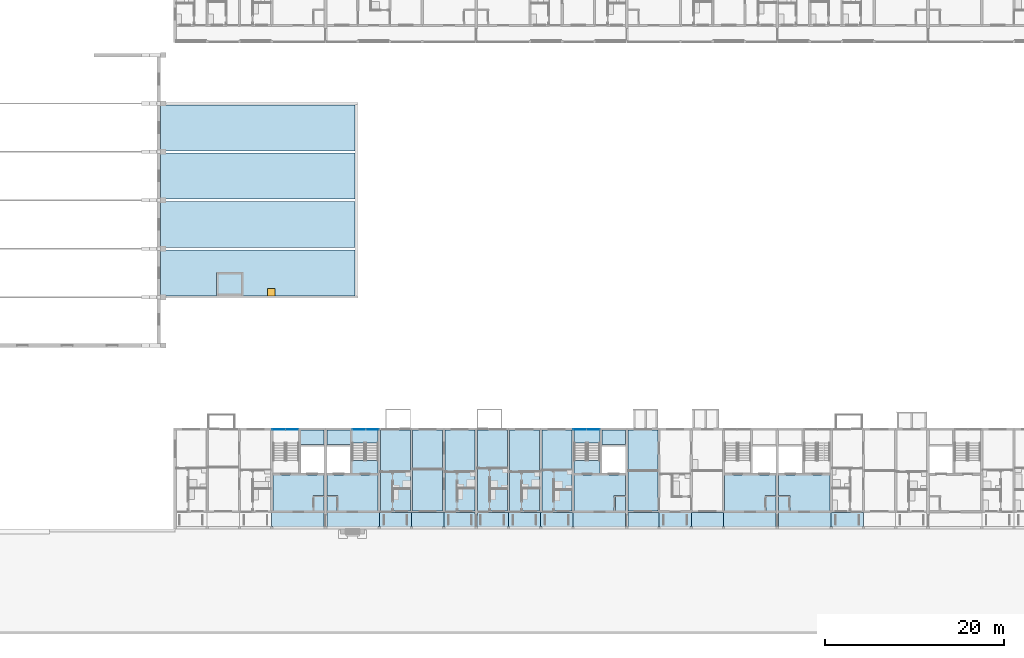
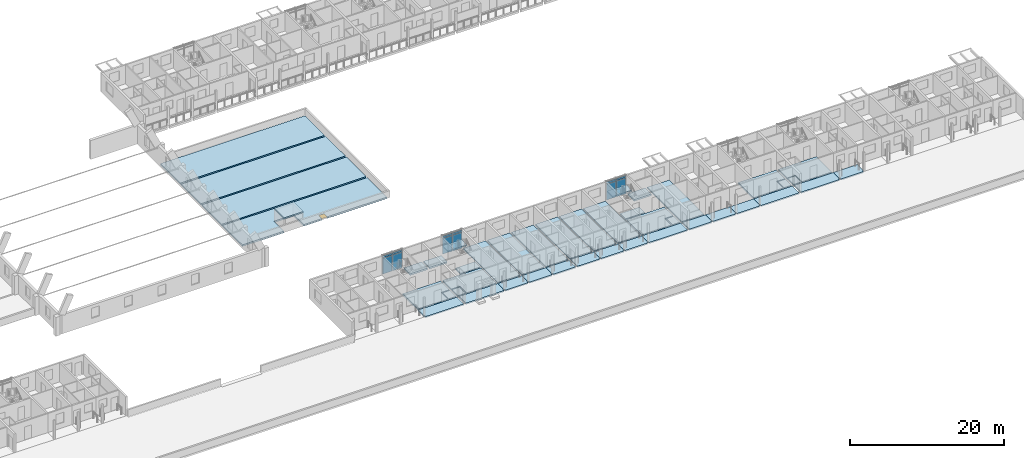
# One storey, part 36 of 115: 44 slabs, 12 plates, 1 door, 1 opening, 5 elements without a shape of their own.
"""IFC4 building model written with IfcOpenShell, lengths in metres."""

from ifc_helpers import new_model, si_unit, direction, frame, origin, origin_2d, place, context, subcontext, project, spatial, polyline, rectangle, outline, extrude, material, layer, layer_set, type_object, element, fill, aggregate, save


model = new_model("IFC4")

# Units and contexts
model_context = context("Model", 3, precision=1e-05, world=origin(), true_north=direction((0.0, 1.0)))
body_context = subcontext(model_context, "Body", "Model", "MODEL_VIEW")
ifc_project = project(units=[si_unit("LENGTHUNIT", "METRE"), si_unit("AREAUNIT", "SQUARE_METRE"), si_unit("VOLUMEUNIT", "CUBIC_METRE"), si_unit("PLANEANGLEUNIT", "RADIAN"), si_unit("MASSUNIT", "GRAM", prefix="KILO")], contexts=[model_context])

# Site, building, storey
site_placement = place(None, origin())
site = spatial("IfcSite", under=ifc_project, at=site_placement, CompositionType="ELEMENT")
building_placement = place(site_placement, origin())
building = spatial("IfcBuilding", under=site, at=building_placement, Name="Ridgestep Commons", CompositionType="ELEMENT")
storey_placement = place(building_placement, frame((0.0, 0.0, 6.0)))
storey = spatial("IfcBuildingStorey", under=building, at=storey_placement, Name="L02", CompositionType="ELEMENT", Elevation=6.0)

# Slab, opening, door
ifc_material_1 = material(Name="Precast concrete C50/60", Category="concrete")
ifc_layer_1 = layer(ifc_material_1, 0.25)
ifc_layer_set_1 = layer_set([ifc_layer_1], Name="Annex roof slab 250")
slab_type_1 = type_object("IfcSlabType", Name="Annex roof slab 250", PredefinedType="ROOF", material=ifc_layer_set_1)
slab_1_placement = place(storey_placement, frame((0.0, 0.0, -0.25)))
slab_1 = element("IfcSlab", 1, at=slab_1_placement, inside=storey, type_object=slab_type_1, Name="Annex roof slab 250", PredefinedType="ROOF", context=body_context, shape_type="SweptSolid", body=[
    extrude(outline(polyline([(145.199951171875, 37.75), (145.199951171875, 42.875), (166.89990234375, 42.875), (166.89990234375, 37.75), (154.39990234375, 37.75), (154.39990234375, 40.35009765625), (151.449951171875, 40.35009765625), (151.449951171875, 37.75), (145.199951171875, 37.75)])), origin(), (0.0, 0.0, 1.0), 0.25),
])
opening_placement = place(slab_1_placement, frame((157.550048828125, 38.14990234375, 0.0)))
opening = element("IfcOpeningElement", 2, at=opening_placement, cuts=slab_1, Name="Opening KRH2", PredefinedType="OPENING", context=body_context, shape_type="SweptSolid", body=[
    extrude(rectangle(XDim=0.800048828125, YDim=0.800048828125, at=origin_2d()), origin(), (0.0, 0.0, 1.0), 0.25),
])
ifc_material_2 = material(Name="Steel", Category="steel")
door_type = type_object("IfcDoorType", Name="Annex roof hatch 800 x 800", OperationType="SINGLE_SWING_LEFT", PredefinedType="TRAPDOOR", material=ifc_material_2)
door_placement = place(opening_placement, frame((0.0, 0.0, 0.199951171875)))
door = element("IfcDoor", 3, at=door_placement, inside=storey, type_object=door_type, Name="Roof access hatch", OperationType="SINGLE_SWING_LEFT", OverallHeight=0.800048828125, OverallWidth=0.800048828125, PredefinedType="TRAPDOOR", context=body_context, shape_type="SweptSolid", body=[
    extrude(rectangle(XDim=0.800048828125, YDim=0.800048828125, at=origin_2d()), origin(), (0.0, 0.0, 1.0), 0.050048828125),
])
fill(opening, door)

# Slabs
slab_2_placement = place(storey_placement, frame((0.0, 0.0, -0.25)))
element("IfcSlab", 4, at=slab_2_placement, inside=storey, type_object=slab_type_1, Name="Annex roof slab 250", PredefinedType="ROOF", context=body_context, shape_type="SweptSolid", body=[
    extrude(outline(polyline([(145.199951171875, 43.125), (166.89990234375, 43.125), (166.89990234375, 48.27490234375), (145.199951171875, 48.27490234375), (145.199951171875, 43.125)])), origin(), (0.0, 0.0, 1.0), 0.25),
])
slab_3_placement = place(storey_placement, frame((0.0, 0.0, -0.25)))
element("IfcSlab", 5, at=slab_3_placement, inside=storey, type_object=slab_type_1, Name="Annex roof slab 250", PredefinedType="ROOF", context=body_context, shape_type="SweptSolid", body=[
    extrude(outline(polyline([(145.199951171875, 48.52490234375), (166.89990234375, 48.52490234375), (166.89990234375, 53.675048828125), (145.199951171875, 53.675048828125), (145.199951171875, 48.52490234375)])), origin(), (0.0, 0.0, 1.0), 0.25),
])
slab_4_placement = place(storey_placement, frame((0.0, 0.0, -0.25)))
element("IfcSlab", 6, at=slab_4_placement, inside=storey, type_object=slab_type_1, Name="Annex roof slab 250", PredefinedType="ROOF", context=body_context, shape_type="SweptSolid", body=[
    extrude(outline(polyline([(145.199951171875, 53.925048828125), (166.89990234375, 53.925048828125), (166.89990234375, 59.050048828125), (145.199951171875, 59.050048828125), (145.199951171875, 53.925048828125)])), origin(), (0.0, 0.0, 1.0), 0.25),
])
ifc_material_3 = material(Name="Concrete C30/37", Category="concrete")
ifc_layer_2 = layer(ifc_material_3, 0.199951171875)
ifc_layer_set_2 = layer_set([ifc_layer_2], Name="Community lift overrun slab 200")
slab_type_2 = type_object("IfcSlabType", Name="Community lift overrun slab 200", PredefinedType="ROOF", material=ifc_layer_set_2)
slab_5_placement = place(storey_placement, frame((0.0, 0.0, 1.89990234375)))
element("IfcSlab", 7, at=slab_5_placement, inside=storey, type_object=slab_type_2, Name="Community lift overrun slab 200", PredefinedType="ROOF", context=body_context, shape_type="SweptSolid", body=[
    extrude(outline(polyline([(151.449951171875, 37.75), (154.39990234375, 37.75), (154.39990234375, 40.35009765625), (151.449951171875, 40.35009765625), (151.449951171875, 37.75)])), origin(), (0.0, 0.0, 1.0), 0.2001953125),
])
ifc_material_4 = material(Name="Precast concrete C40/50", Category="concrete")
ifc_layer_3 = layer(ifc_material_4, 0.199951171875)
ifc_layer_set_3 = layer_set([ifc_layer_3], Name="Gallery slab 200")
slab_type_3 = type_object("IfcSlabType", Name="Gallery slab 200", PredefinedType="FLOOR", material=ifc_layer_set_3)
slab_6_placement = place(storey_placement, frame((0.0, 0.0, -0.199951171875)))
element("IfcSlab", 8, at=slab_6_placement, inside=storey, type_object=slab_type_3, Name="Gallery slab D1 L02", PredefinedType="FLOOR", context=body_context, shape_type="SweptSolid", body=[
    extrude(outline(polyline([(157.60009765625, 13.550048828125), (157.60009765625, 12.0), (157.72509765625, 12.0), (157.72509765625, 11.75), (163.449951171875, 11.75), (163.449951171875, 13.550048828125), (157.60009765625, 13.550048828125)])), origin(), (0.0, 0.0, 1.0), 0.199951171875),
])
slab_7_placement = place(storey_placement, frame((0.0, 0.0, -0.199951171875)))
element("IfcSlab", 9, at=slab_7_placement, inside=storey, type_object=slab_type_3, Name="Gallery slab D2 L02", PredefinedType="FLOOR", context=body_context, shape_type="SweptSolid", body=[
    extrude(outline(polyline([(163.75, 11.75), (169.47509765625, 11.75), (169.47509765625, 12.0), (169.60009765625, 12.0), (169.60009765625, 13.550048828125), (163.75, 13.550048828125), (163.75, 11.75)])), origin(), (0.0, 0.0, 1.0), 0.199951171875),
])
slab_8_placement = place(storey_placement, frame((0.0, 0.0, -0.199951171875)))
element("IfcSlab", 10, at=slab_8_placement, inside=storey, type_object=slab_type_3, Name="Gallery slab D2 L02", PredefinedType="FLOOR", context=body_context, shape_type="SweptSolid", body=[
    extrude(outline(polyline([(173.199951171875, 13.550048828125), (169.60009765625, 13.550048828125), (169.60009765625, 12.0), (169.72509765625, 12.0), (169.72509765625, 11.75), (173.074951171875, 11.75), (173.074951171875, 12.0), (173.199951171875, 12.0), (173.199951171875, 13.550048828125)])), origin(), (0.0, 0.0, 1.0), 0.199951171875),
])
slab_9_placement = place(storey_placement, frame((0.0, 0.0, -0.199951171875)))
element("IfcSlab", 11, at=slab_9_placement, inside=storey, type_object=slab_type_3, Name="Gallery slab D2 L02", PredefinedType="FLOOR", context=body_context, shape_type="SweptSolid", body=[
    extrude(outline(polyline([(176.800048828125, 13.550048828125), (173.199951171875, 13.550048828125), (173.199951171875, 12.0), (173.324951171875, 12.0), (173.324951171875, 11.75), (176.675048828125, 11.75), (176.675048828125, 12.0), (176.800048828125, 12.0), (176.800048828125, 13.550048828125)])), origin(), (0.0, 0.0, 1.0), 0.199951171875),
])
slab_10_placement = place(storey_placement, frame((0.0, 0.0, -0.199951171875)))
element("IfcSlab", 12, at=slab_10_placement, inside=storey, type_object=slab_type_3, Name="Gallery slab D2 L02", PredefinedType="FLOOR", context=body_context, shape_type="SweptSolid", body=[
    extrude(outline(polyline([(176.800048828125, 13.550048828125), (176.800048828125, 12.0), (176.925048828125, 12.0), (176.925048828125, 11.75), (180.25, 11.75), (180.25, 13.550048828125), (176.800048828125, 13.550048828125)])), origin(), (0.0, 0.0, 1.0), 0.199951171875),
])
slab_11_placement = place(storey_placement, frame((0.0, 0.0, -0.199951171875)))
element("IfcSlab", 13, at=slab_11_placement, inside=storey, type_object=slab_type_3, Name="Gallery slab D3 L02", PredefinedType="FLOOR", context=body_context, shape_type="SweptSolid", body=[
    extrude(outline(polyline([(180.550048828125, 11.75), (183.875, 11.75), (183.875, 12.0), (184.0, 12.0), (184.0, 13.550048828125), (180.550048828125, 13.550048828125), (180.550048828125, 11.75)])), origin(), (0.0, 0.0, 1.0), 0.199951171875),
])
slab_12_placement = place(storey_placement, frame((0.0, 0.0, -0.199951171875)))
element("IfcSlab", 14, at=slab_12_placement, inside=storey, type_object=slab_type_3, Name="Gallery slab D3 L02", PredefinedType="FLOOR", context=body_context, shape_type="SweptSolid", body=[
    extrude(outline(polyline([(187.60009765625, 13.550048828125), (184.0, 13.550048828125), (184.0, 12.0), (184.125, 12.0), (184.125, 11.75), (187.47509765625, 11.75), (187.47509765625, 12.0), (187.60009765625, 12.0), (187.60009765625, 13.550048828125)])), origin(), (0.0, 0.0, 1.0), 0.199951171875),
])
slab_13_placement = place(storey_placement, frame((0.0, 0.0, -0.199951171875)))
element("IfcSlab", 15, at=slab_13_placement, inside=storey, type_object=slab_type_3, Name="Gallery slab D3 L02", PredefinedType="FLOOR", context=body_context, shape_type="SweptSolid", body=[
    extrude(outline(polyline([(191.199951171875, 13.550048828125), (187.60009765625, 13.550048828125), (187.60009765625, 12.0), (187.72509765625, 12.0), (187.72509765625, 11.75), (191.074951171875, 11.75), (191.074951171875, 12.0), (191.199951171875, 12.0), (191.199951171875, 13.550048828125)])), origin(), (0.0, 0.0, 1.0), 0.199951171875),
])
slab_14_placement = place(storey_placement, frame((0.0, 0.0, -0.199951171875)))
element("IfcSlab", 16, at=slab_14_placement, inside=storey, type_object=slab_type_3, Name="Gallery slab D3 L02", PredefinedType="FLOOR", context=body_context, shape_type="SweptSolid", body=[
    extrude(outline(polyline([(191.199951171875, 13.550048828125), (191.199951171875, 12.0), (191.324951171875, 12.0), (191.324951171875, 11.75), (197.050048828125, 11.75), (197.050048828125, 13.550048828125), (191.199951171875, 13.550048828125)])), origin(), (0.0, 0.0, 1.0), 0.199951171875),
])
slab_15_placement = place(storey_placement, frame((0.0, 0.0, -0.199951171875)))
element("IfcSlab", 17, at=slab_15_placement, inside=storey, type_object=slab_type_3, Name="Gallery slab D4 L02", PredefinedType="FLOOR", context=body_context, shape_type="SweptSolid", body=[
    extrude(outline(polyline([(197.35009765625, 11.75), (200.675048828125, 11.75), (200.675048828125, 12.0), (200.800048828125, 12.0), (200.800048828125, 13.550048828125), (197.35009765625, 13.550048828125), (197.35009765625, 11.75)])), origin(), (0.0, 0.0, 1.0), 0.199951171875),
])
slab_16_placement = place(storey_placement, frame((0.0, 0.0, -0.199951171875)))
element("IfcSlab", 18, at=slab_16_placement, inside=storey, type_object=slab_type_3, Name="Gallery slab D4 L02", PredefinedType="FLOOR", context=body_context, shape_type="SweptSolid", body=[
    extrude(outline(polyline([(204.39990234375, 13.550048828125), (200.800048828125, 13.550048828125), (200.800048828125, 12.0), (200.925048828125, 12.0), (200.925048828125, 11.75), (204.27490234375, 11.75), (204.27490234375, 12.0), (204.39990234375, 12.0), (204.39990234375, 13.550048828125)])), origin(), (0.0, 0.0, 1.0), 0.199951171875),
])
slab_17_placement = place(storey_placement, frame((0.0, 0.0, -0.199951171875)))
element("IfcSlab", 19, at=slab_17_placement, inside=storey, type_object=slab_type_3, Name="Gallery slab D4 L02", PredefinedType="FLOOR", context=body_context, shape_type="SweptSolid", body=[
    extrude(outline(polyline([(208.0, 13.550048828125), (204.39990234375, 13.550048828125), (204.39990234375, 12.0), (204.52490234375, 12.0), (204.52490234375, 11.75), (207.875, 11.75), (207.875, 12.0), (208.0, 12.0), (208.0, 13.550048828125)])), origin(), (0.0, 0.0, 1.0), 0.199951171875),
])
slab_18_placement = place(storey_placement, frame((0.0, 0.0, -0.199951171875)))
element("IfcSlab", 20, at=slab_18_placement, inside=storey, type_object=slab_type_3, Name="Gallery slab D4 L02", PredefinedType="FLOOR", context=body_context, shape_type="SweptSolid", body=[
    extrude(outline(polyline([(208.0, 13.550048828125), (208.0, 12.0), (208.125, 12.0), (208.125, 11.75), (213.85009765625, 11.75), (213.85009765625, 13.550048828125), (208.0, 13.550048828125)])), origin(), (0.0, 0.0, 1.0), 0.199951171875),
])
slab_19_placement = place(storey_placement, frame((0.0, 0.0, -0.199951171875)))
element("IfcSlab", 21, at=slab_19_placement, inside=storey, type_object=slab_type_3, Name="Gallery slab D5 L02", PredefinedType="FLOOR", context=body_context, shape_type="SweptSolid", body=[
    extrude(outline(polyline([(214.14990234375, 11.75), (219.875, 11.75), (219.875, 12.0), (220.0, 12.0), (220.0, 13.550048828125), (214.14990234375, 13.550048828125), (214.14990234375, 11.75)])), origin(), (0.0, 0.0, 1.0), 0.199951171875),
])
slab_20_placement = place(storey_placement, frame((0.0, 0.0, -0.199951171875)))
element("IfcSlab", 22, at=slab_20_placement, inside=storey, type_object=slab_type_3, Name="Gallery slab D5 L02", PredefinedType="FLOOR", context=body_context, shape_type="SweptSolid", body=[
    extrude(outline(polyline([(223.60009765625, 13.550048828125), (220.0, 13.550048828125), (220.0, 12.0), (220.125, 12.0), (220.125, 11.75), (223.47509765625, 11.75), (223.47509765625, 12.0), (223.60009765625, 12.0), (223.60009765625, 13.550048828125)])), origin(), (0.0, 0.0, 1.0), 0.199951171875),
])

# Curtain wall, plates
ifc_material_5 = material(Name="Aluminium 6063-T6 and glass", Category="aluminium")
curtain_wall_type = type_object("IfcCurtainWallType", Name="Curtain wall stair strip", PredefinedType="NOTDEFINED", material=ifc_material_5)
curtain_wall_1_placement = place(storey_placement, origin())
curtain_wall_1 = element("IfcCurtainWall", 23, at=curtain_wall_1_placement, inside=storey, type_object=curtain_wall_type, Name="Curtain wall D1C level 02", PredefinedType="NOTDEFINED")
ifc_material_6 = material(Name="Glass laminated 6/16/6 low-emissivity", Category="glass")
ifc_layer_4 = layer(ifc_material_6, 0.028076171875)
ifc_layer_set_4 = layer_set([ifc_layer_4], Name="Glazing panel 28")
plate_type_1 = type_object("IfcPlateType", Name="Glazing panel 28", PredefinedType="CURTAIN_PANEL", material=ifc_layer_set_4)
plate_1_placement = place(storey_placement, frame((158.371337890625, 22.830078125, 0.06005859375), z_axis=(0.0, 0.0, 1.0), x_axis=(1.0, 0.0, 0.0)))
plate_1 = element("IfcPlate", 24, at=plate_1_placement, type_object=plate_type_1, Name="CW1 panel 1.1", PredefinedType="CURTAIN_PANEL", context=body_context, shape_type="SweptSolid", body=[
    extrude(rectangle(XDim=1.422607421875, YDim=0.028076171875, at=origin_2d()), origin(), (0.0, 0.0, 1.0), 2.5),
])
plate_2_placement = place(storey_placement, frame((159.853759765625, 22.830078125, 0.06005859375), z_axis=(0.0, 0.0, 1.0), x_axis=(1.0, 0.0, 0.0)))
plate_2 = element("IfcPlate", 25, at=plate_2_placement, type_object=plate_type_1, Name="CW1 panel 2.1", PredefinedType="CURTAIN_PANEL", context=body_context, shape_type="SweptSolid", body=[
    extrude(rectangle(XDim=1.422607421875, YDim=0.028076171875, at=origin_2d()), origin(), (0.0, 0.0, 1.0), 2.5),
])

curtain_wall_2_placement = place(storey_placement, origin())
curtain_wall_2 = element("IfcCurtainWall", 26, at=curtain_wall_2_placement, inside=storey, type_object=curtain_wall_type, Name="Curtain wall D2C level 02", PredefinedType="NOTDEFINED")
plate_3_placement = place(storey_placement, frame((167.34619140625, 22.830078125, 0.06005859375), z_axis=(0.0, 0.0, 1.0), x_axis=(1.0, 0.0, 0.0)))
plate_3 = element("IfcPlate", 27, at=plate_3_placement, type_object=plate_type_1, Name="CW1 panel 1.1", PredefinedType="CURTAIN_PANEL", context=body_context, shape_type="SweptSolid", body=[
    extrude(rectangle(XDim=1.422607421875, YDim=0.028076171875, at=origin_2d()), origin(), (0.0, 0.0, 1.0), 2.5),
])
plate_4_placement = place(storey_placement, frame((168.828857421875, 22.830078125, 0.06005859375), z_axis=(0.0, 0.0, 1.0), x_axis=(1.0, 0.0, 0.0)))
plate_4 = element("IfcPlate", 28, at=plate_4_placement, type_object=plate_type_1, Name="CW1 panel 2.1", PredefinedType="CURTAIN_PANEL", context=body_context, shape_type="SweptSolid", body=[
    extrude(rectangle(XDim=1.422607421875, YDim=0.028076171875, at=origin_2d()), origin(), (0.0, 0.0, 1.0), 2.5),
])

curtain_wall_3_placement = place(storey_placement, origin())
curtain_wall_3 = element("IfcCurtainWall", 29, at=curtain_wall_3_placement, inside=storey, type_object=curtain_wall_type, Name="Curtain wall D3C level 02", PredefinedType="NOTDEFINED")
plate_5_placement = place(storey_placement, frame((191.97119140625, 22.830078125, 0.06005859375), z_axis=(0.0, 0.0, 1.0), x_axis=(1.0, 0.0, 0.0)))
plate_5 = element("IfcPlate", 30, at=plate_5_placement, type_object=plate_type_1, Name="CW1 panel 1.1", PredefinedType="CURTAIN_PANEL", context=body_context, shape_type="SweptSolid", body=[
    extrude(rectangle(XDim=1.422607421875, YDim=0.028076171875, at=origin_2d()), origin(), (0.0, 0.0, 1.0), 2.5),
])
plate_6_placement = place(storey_placement, frame((193.453857421875, 22.830078125, 0.06005859375), z_axis=(0.0, 0.0, 1.0), x_axis=(1.0, 0.0, 0.0)))
plate_6 = element("IfcPlate", 31, at=plate_6_placement, type_object=plate_type_1, Name="CW1 panel 2.1", PredefinedType="CURTAIN_PANEL", context=body_context, shape_type="SweptSolid", body=[
    extrude(rectangle(XDim=1.422607421875, YDim=0.028076171875, at=origin_2d()), origin(), (0.0, 0.0, 1.0), 2.5),
])

# Slabs
ifc_material_7 = material(Name="Precast concrete C50/60", Category="concrete")
ifc_layer_5 = layer(ifc_material_7, 0.199951171875)
ifc_layer_set_5 = layer_set([ifc_layer_5], Name="Hollow-core plank 200")
slab_type_4 = type_object("IfcSlabType", Name="Hollow-core plank 200", PredefinedType="FLOOR", material=ifc_layer_set_5)
slab_21_placement = place(storey_placement, frame((0.0, 0.0, -0.199951171875)))
element("IfcSlab", 32, at=slab_21_placement, inside=storey, type_object=slab_type_4, Name="Floor plank D2T3 L02", PredefinedType="FLOOR", context=body_context, shape_type="SweptSolid", body=[
    extrude(outline(polyline([(173.074951171875, 13.75), (173.074951171875, 22.75), (169.72509765625, 22.75), (169.72509765625, 13.75), (173.074951171875, 13.75)])), origin(), (0.0, 0.0, 1.0), 0.199951171875),
])
slab_22_placement = place(storey_placement, frame((0.0, 0.0, -0.199951171875)))
element("IfcSlab", 33, at=slab_22_placement, inside=storey, type_object=slab_type_4, Name="Floor plank D2T2 L02", PredefinedType="FLOOR", context=body_context, shape_type="SweptSolid", body=[
    extrude(outline(polyline([(176.675048828125, 13.75), (176.675048828125, 22.75), (173.324951171875, 22.75), (173.324951171875, 13.75), (176.675048828125, 13.75)])), origin(), (0.0, 0.0, 1.0), 0.199951171875),
])
slab_23_placement = place(storey_placement, frame((0.0, 0.0, -0.199951171875)))
element("IfcSlab", 34, at=slab_23_placement, inside=storey, type_object=slab_type_4, Name="Floor plank D2T1 L02", PredefinedType="FLOOR", context=body_context, shape_type="SweptSolid", body=[
    extrude(outline(polyline([(180.25, 13.75), (180.25, 22.75), (176.925048828125, 22.75), (176.925048828125, 13.75), (180.25, 13.75)])), origin(), (0.0, 0.0, 1.0), 0.199951171875),
])
slab_24_placement = place(storey_placement, frame((0.0, 0.0, -0.199951171875)))
element("IfcSlab", 35, at=slab_24_placement, inside=storey, type_object=slab_type_4, Name="Floor plank D3T1 L02", PredefinedType="FLOOR", context=body_context, shape_type="SweptSolid", body=[
    extrude(outline(polyline([(183.875, 13.75), (183.875, 22.75), (180.550048828125, 22.75), (180.550048828125, 13.75), (183.875, 13.75)])), origin(), (0.0, 0.0, 1.0), 0.199951171875),
])
slab_25_placement = place(storey_placement, frame((0.0, 0.0, -0.199951171875)))
element("IfcSlab", 36, at=slab_25_placement, inside=storey, type_object=slab_type_4, Name="Floor plank D3T2 L02", PredefinedType="FLOOR", context=body_context, shape_type="SweptSolid", body=[
    extrude(outline(polyline([(187.47509765625, 13.75), (187.47509765625, 22.75), (184.125, 22.75), (184.125, 13.75), (187.47509765625, 13.75)])), origin(), (0.0, 0.0, 1.0), 0.199951171875),
])
slab_26_placement = place(storey_placement, frame((0.0, 0.0, -0.199951171875)))
element("IfcSlab", 37, at=slab_26_placement, inside=storey, type_object=slab_type_4, Name="Floor plank D3T3 L02", PredefinedType="FLOOR", context=body_context, shape_type="SweptSolid", body=[
    extrude(outline(polyline([(191.074951171875, 13.75), (191.074951171875, 22.75), (187.72509765625, 22.75), (187.72509765625, 13.75), (191.074951171875, 13.75)])), origin(), (0.0, 0.0, 1.0), 0.199951171875),
])
slab_27_placement = place(storey_placement, frame((0.0, 0.0, -0.199951171875)))
element("IfcSlab", 38, at=slab_27_placement, inside=storey, type_object=slab_type_4, Name="Floor plank D4T1 L02", PredefinedType="FLOOR", context=body_context, shape_type="SweptSolid", body=[
    extrude(outline(polyline([(200.675048828125, 13.75), (200.675048828125, 22.75), (197.35009765625, 22.75), (197.35009765625, 13.75), (200.675048828125, 13.75)])), origin(), (0.0, 0.0, 1.0), 0.199951171875),
])
ifc_material_8 = material(Name="Precast concrete C50/60", Category="concrete")
ifc_layer_6 = layer(ifc_material_8, 0.25)
ifc_layer_set_6 = layer_set([ifc_layer_6], Name="Hollow-core plank 250")
slab_type_5 = type_object("IfcSlabType", Name="Hollow-core plank 250", PredefinedType="FLOOR", material=ifc_layer_set_6)
slab_28_placement = place(storey_placement, frame((0.0, 0.0, -0.25)))
element("IfcSlab", 39, at=slab_28_placement, inside=storey, type_object=slab_type_5, Name="Floor plank D1C L02", PredefinedType="FLOOR", context=body_context, shape_type="SweptSolid", body=[
    extrude(outline(polyline([(162.320068359375, 15.469970703125), (163.449951171875, 15.469970703125), (163.449951171875, 17.75), (157.72509765625, 17.75), (157.72509765625, 13.75), (162.199951171875, 13.75), (162.199951171875, 15.469970703125), (162.320068359375, 15.469970703125)])), origin(), (0.0, 0.0, 1.0), 0.25),
])
slab_29_placement = place(storey_placement, frame((0.0, 0.0, -0.25)))
element("IfcSlab", 40, at=slab_29_placement, inside=storey, type_object=slab_type_5, Name="Floor plank D1C L02", PredefinedType="FLOOR", context=body_context, shape_type="SweptSolid", body=[
    extrude(outline(polyline([(163.449951171875, 21.14990234375), (163.449951171875, 22.75), (160.824951171875, 22.75), (160.824951171875, 21.14990234375), (163.449951171875, 21.14990234375)])), origin(), (0.0, 0.0, 1.0), 0.25),
])
slab_30_placement = place(storey_placement, frame((0.0, 0.0, -0.25)))
element("IfcSlab", 41, at=slab_30_placement, inside=storey, type_object=slab_type_5, Name="Floor plank D1C L02", PredefinedType="FLOOR", context=body_context, shape_type="SweptSolid", body=[
    extrude(outline(polyline([(162.320068359375, 13.75), (163.449951171875, 13.75), (163.449951171875, 15.35009765625), (162.320068359375, 15.35009765625), (162.320068359375, 13.75)])), origin(), (0.0, 0.0, 1.0), 0.25),
])
slab_31_placement = place(storey_placement, frame((0.0, 0.0, -0.25)))
element("IfcSlab", 42, at=slab_31_placement, inside=storey, type_object=slab_type_5, Name="Floor plank D2C L02", PredefinedType="FLOOR", context=body_context, shape_type="SweptSolid", body=[
    extrude(outline(polyline([(165.0, 13.75), (169.47509765625, 13.75), (169.47509765625, 17.75), (163.75, 17.75), (163.75, 15.469970703125), (164.8798828125, 15.469970703125), (165.0, 15.469970703125), (165.0, 13.75)])), origin(), (0.0, 0.0, 1.0), 0.25),
])
slab_32_placement = place(storey_placement, frame((0.0, 0.0, -0.25)))
element("IfcSlab", 43, at=slab_32_placement, inside=storey, type_object=slab_type_5, Name="Floor plank D2C L02", PredefinedType="FLOOR", context=body_context, shape_type="SweptSolid", body=[
    extrude(outline(polyline([(166.375, 22.75), (163.75, 22.75), (163.75, 21.14990234375), (166.375, 21.14990234375), (166.375, 22.75)])), origin(), (0.0, 0.0, 1.0), 0.25),
])
slab_33_placement = place(storey_placement, frame((0.0, 0.0, -0.25)))
element("IfcSlab", 44, at=slab_33_placement, inside=storey, type_object=slab_type_5, Name="Floor plank D2C L02", PredefinedType="FLOOR", context=body_context, shape_type="SweptSolid", body=[
    extrude(outline(polyline([(169.47509765625, 17.949951171875), (169.47509765625, 19.35009765625), (166.574951171875, 19.35009765625), (166.574951171875, 17.949951171875), (169.47509765625, 17.949951171875)])), origin(), (0.0, 0.0, 1.0), 0.25),
])
slab_34_placement = place(storey_placement, frame((0.0, 0.0, -0.25)))
element("IfcSlab", 45, at=slab_34_placement, inside=storey, type_object=slab_type_5, Name="Floor plank D2C L02", PredefinedType="FLOOR", context=body_context, shape_type="SweptSolid", body=[
    extrude(outline(polyline([(164.8798828125, 15.35009765625), (163.75, 15.35009765625), (163.75, 13.75), (164.8798828125, 13.75), (164.8798828125, 15.35009765625)])), origin(), (0.0, 0.0, 1.0), 0.25),
])
slab_35_placement = place(storey_placement, frame((0.0, 0.0, -0.25)))
element("IfcSlab", 46, at=slab_35_placement, inside=storey, type_object=slab_type_5, Name="Floor plank D3C L02", PredefinedType="FLOOR", context=body_context, shape_type="SweptSolid", body=[
    extrude(outline(polyline([(195.919921875, 15.469970703125), (197.050048828125, 15.469970703125), (197.050048828125, 17.75), (191.324951171875, 17.75), (191.324951171875, 13.75), (195.800048828125, 13.75), (195.800048828125, 15.469970703125), (195.919921875, 15.469970703125)])), origin(), (0.0, 0.0, 1.0), 0.25),
])
slab_36_placement = place(storey_placement, frame((0.0, 0.0, -0.25)))
element("IfcSlab", 47, at=slab_36_placement, inside=storey, type_object=slab_type_5, Name="Floor plank D3C L02", PredefinedType="FLOOR", context=body_context, shape_type="SweptSolid", body=[
    extrude(outline(polyline([(197.050048828125, 21.14990234375), (197.050048828125, 22.75), (194.425048828125, 22.75), (194.425048828125, 21.14990234375), (197.050048828125, 21.14990234375)])), origin(), (0.0, 0.0, 1.0), 0.25),
])
slab_37_placement = place(storey_placement, frame((0.0, 0.0, -0.25)))
element("IfcSlab", 48, at=slab_37_placement, inside=storey, type_object=slab_type_5, Name="Floor plank D3C L02", PredefinedType="FLOOR", context=body_context, shape_type="SweptSolid", body=[
    extrude(outline(polyline([(194.22509765625, 17.949951171875), (194.22509765625, 19.35009765625), (191.324951171875, 19.35009765625), (191.324951171875, 17.949951171875), (194.22509765625, 17.949951171875)])), origin(), (0.0, 0.0, 1.0), 0.25),
])
slab_38_placement = place(storey_placement, frame((0.0, 0.0, -0.25)))
element("IfcSlab", 49, at=slab_38_placement, inside=storey, type_object=slab_type_5, Name="Floor plank D3C L02", PredefinedType="FLOOR", context=body_context, shape_type="SweptSolid", body=[
    extrude(outline(polyline([(195.919921875, 13.75), (197.050048828125, 13.75), (197.050048828125, 15.35009765625), (195.919921875, 15.35009765625), (195.919921875, 13.75)])), origin(), (0.0, 0.0, 1.0), 0.25),
])
slab_39_placement = place(storey_placement, frame((0.0, 0.0, -0.25)))
element("IfcSlab", 50, at=slab_39_placement, inside=storey, type_object=slab_type_5, Name="Floor plank D4C L02", PredefinedType="FLOOR", context=body_context, shape_type="SweptSolid", body=[
    extrude(outline(polyline([(212.719970703125, 15.469970703125), (213.85009765625, 15.469970703125), (213.85009765625, 17.75), (208.125, 17.75), (208.125, 13.75), (212.60009765625, 13.75), (212.60009765625, 15.469970703125), (212.719970703125, 15.469970703125)])), origin(), (0.0, 0.0, 1.0), 0.25),
])
slab_40_placement = place(storey_placement, frame((0.0, 0.0, -0.25)))
element("IfcSlab", 51, at=slab_40_placement, inside=storey, type_object=slab_type_5, Name="Floor plank D4C L02", PredefinedType="FLOOR", context=body_context, shape_type="SweptSolid", body=[
    extrude(outline(polyline([(212.719970703125, 13.75), (213.85009765625, 13.75), (213.85009765625, 15.35009765625), (212.719970703125, 15.35009765625), (212.719970703125, 13.75)])), origin(), (0.0, 0.0, 1.0), 0.25),
])
slab_41_placement = place(storey_placement, frame((0.0, 0.0, -0.25)))
element("IfcSlab", 52, at=slab_41_placement, inside=storey, type_object=slab_type_5, Name="Floor plank D5C L02", PredefinedType="FLOOR", context=body_context, shape_type="SweptSolid", body=[
    extrude(outline(polyline([(215.39990234375, 13.75), (219.875, 13.75), (219.875, 17.75), (214.14990234375, 17.75), (214.14990234375, 15.469970703125), (215.280029296875, 15.469970703125), (215.39990234375, 15.469970703125), (215.39990234375, 13.75)])), origin(), (0.0, 0.0, 1.0), 0.25),
])
slab_42_placement = place(storey_placement, frame((0.0, 0.0, -0.25)))
element("IfcSlab", 53, at=slab_42_placement, inside=storey, type_object=slab_type_5, Name="Floor plank D5C L02", PredefinedType="FLOOR", context=body_context, shape_type="SweptSolid", body=[
    extrude(outline(polyline([(215.280029296875, 15.35009765625), (214.14990234375, 15.35009765625), (214.14990234375, 13.75), (215.280029296875, 13.75), (215.280029296875, 15.35009765625)])), origin(), (0.0, 0.0, 1.0), 0.25),
])

# Plate
ifc_material_9 = material(Name="Aluminium 6063-T6 and mineral wool", Category="aluminium")
ifc_layer_7 = layer(ifc_material_9, 0.0400390625)
ifc_layer_set_7 = layer_set([ifc_layer_7], Name="Spandrel panel 40")
plate_type_2 = type_object("IfcPlateType", Name="Spandrel panel 40", PredefinedType="CURTAIN_PANEL", material=ifc_layer_set_7)
plate_7_placement = place(storey_placement, frame((158.371337890625, 22.830078125, 2.6201171875), z_axis=(0.0, 0.0, 1.0), x_axis=(1.0, 0.0, 0.0)))
plate_7 = element("IfcPlate", 54, at=plate_7_placement, type_object=plate_type_2, Name="CW1 panel 1.2", PredefinedType="CURTAIN_PANEL", context=body_context, shape_type="SweptSolid", body=[
    extrude(rectangle(XDim=1.422607421875, YDim=0.0400390625, at=origin_2d()), origin(), (0.0, 0.0, 1.0), 0.320068359375),
])

plate_8_placement = place(storey_placement, frame((159.853759765625, 22.830078125, 2.6201171875), z_axis=(0.0, 0.0, 1.0), x_axis=(1.0, 0.0, 0.0)))
plate_8 = element("IfcPlate", 55, at=plate_8_placement, type_object=plate_type_2, Name="CW1 panel 2.2", PredefinedType="CURTAIN_PANEL", context=body_context, shape_type="SweptSolid", body=[
    extrude(rectangle(XDim=1.422607421875, YDim=0.0400390625, at=origin_2d()), origin(), (0.0, 0.0, 1.0), 0.320068359375),
])

aggregate(curtain_wall_1, [plate_1, plate_7, plate_2, plate_8])

plate_9_placement = place(storey_placement, frame((167.34619140625, 22.830078125, 2.6201171875), z_axis=(0.0, 0.0, 1.0), x_axis=(1.0, 0.0, 0.0)))
plate_9 = element("IfcPlate", 56, at=plate_9_placement, type_object=plate_type_2, Name="CW1 panel 1.2", PredefinedType="CURTAIN_PANEL", context=body_context, shape_type="SweptSolid", body=[
    extrude(rectangle(XDim=1.422607421875, YDim=0.0400390625, at=origin_2d()), origin(), (0.0, 0.0, 1.0), 0.320068359375),
])

plate_10_placement = place(storey_placement, frame((168.828857421875, 22.830078125, 2.6201171875), z_axis=(0.0, 0.0, 1.0), x_axis=(1.0, 0.0, 0.0)))
plate_10 = element("IfcPlate", 57, at=plate_10_placement, type_object=plate_type_2, Name="CW1 panel 2.2", PredefinedType="CURTAIN_PANEL", context=body_context, shape_type="SweptSolid", body=[
    extrude(rectangle(XDim=1.422607421875, YDim=0.0400390625, at=origin_2d()), origin(), (0.0, 0.0, 1.0), 0.320068359375),
])

aggregate(curtain_wall_2, [plate_3, plate_9, plate_4, plate_10])

plate_11_placement = place(storey_placement, frame((191.97119140625, 22.830078125, 2.6201171875), z_axis=(0.0, 0.0, 1.0), x_axis=(1.0, 0.0, 0.0)))
plate_11 = element("IfcPlate", 58, at=plate_11_placement, type_object=plate_type_2, Name="CW1 panel 1.2", PredefinedType="CURTAIN_PANEL", context=body_context, shape_type="SweptSolid", body=[
    extrude(rectangle(XDim=1.422607421875, YDim=0.0400390625, at=origin_2d()), origin(), (0.0, 0.0, 1.0), 0.320068359375),
])

plate_12_placement = place(storey_placement, frame((193.453857421875, 22.830078125, 2.6201171875), z_axis=(0.0, 0.0, 1.0), x_axis=(1.0, 0.0, 0.0)))
plate_12 = element("IfcPlate", 59, at=plate_12_placement, type_object=plate_type_2, Name="CW1 panel 2.2", PredefinedType="CURTAIN_PANEL", context=body_context, shape_type="SweptSolid", body=[
    extrude(rectangle(XDim=1.422607421875, YDim=0.0400390625, at=origin_2d()), origin(), (0.0, 0.0, 1.0), 0.320068359375),
])

aggregate(curtain_wall_3, [plate_5, plate_11, plate_6, plate_12])

# Stair, slab
ifc_material_10 = material(Name="Precast concrete C40/50", Category="concrete")
stair_type = type_object("IfcStairType", Name="Escape stair 1400", PredefinedType="HALF_TURN_STAIR", material=ifc_material_10)
stair_1_placement = place(storey_placement, origin())
stair_1 = element("IfcStair", 60, at=stair_1_placement, inside=storey, type_object=stair_type, Name="L02 Escape stair D2C", PredefinedType="HALF_TURN_STAIR")
ifc_material_11 = material(Name="Precast concrete C40/50", Category="concrete")
ifc_layer_8 = layer(ifc_material_11, 0.199951171875)
ifc_layer_set_8 = layer_set([ifc_layer_8], Name="Stair landing 200")
slab_type_6 = type_object("IfcSlabType", Name="Stair landing 200", PredefinedType="LANDING", material=ifc_layer_set_8)
slab_43_placement = place(storey_placement, frame((0.0, 0.0, 1.300048828125)))
slab_43 = element("IfcSlab", 61, at=slab_43_placement, type_object=slab_type_6, Name="D2C landing 1", PredefinedType="LANDING", context=body_context, shape_type="SweptSolid", body=[
    extrude(outline(polyline([(169.47509765625, 21.31005859375), (169.47509765625, 22.75), (166.574951171875, 22.75), (166.574951171875, 21.31005859375), (169.47509765625, 21.31005859375)])), origin(), (0.0, 0.0, 1.0), 0.199951171875),
])
aggregate(stair_1, [slab_43])

stair_2_placement = place(storey_placement, origin())
stair_2 = element("IfcStair", 62, at=stair_2_placement, inside=storey, type_object=stair_type, Name="L02 Escape stair D3C", PredefinedType="HALF_TURN_STAIR")
slab_44_placement = place(storey_placement, frame((0.0, 0.0, 1.300048828125)))
slab_44 = element("IfcSlab", 63, at=slab_44_placement, type_object=slab_type_6, Name="D3C landing 1", PredefinedType="LANDING", context=body_context, shape_type="SweptSolid", body=[
    extrude(outline(polyline([(194.22509765625, 21.31005859375), (194.22509765625, 22.75), (191.324951171875, 22.75), (191.324951171875, 21.31005859375), (194.22509765625, 21.31005859375)])), origin(), (0.0, 0.0, 1.0), 0.199951171875),
])
aggregate(stair_2, [slab_44])

save(model, "model.ifc")
